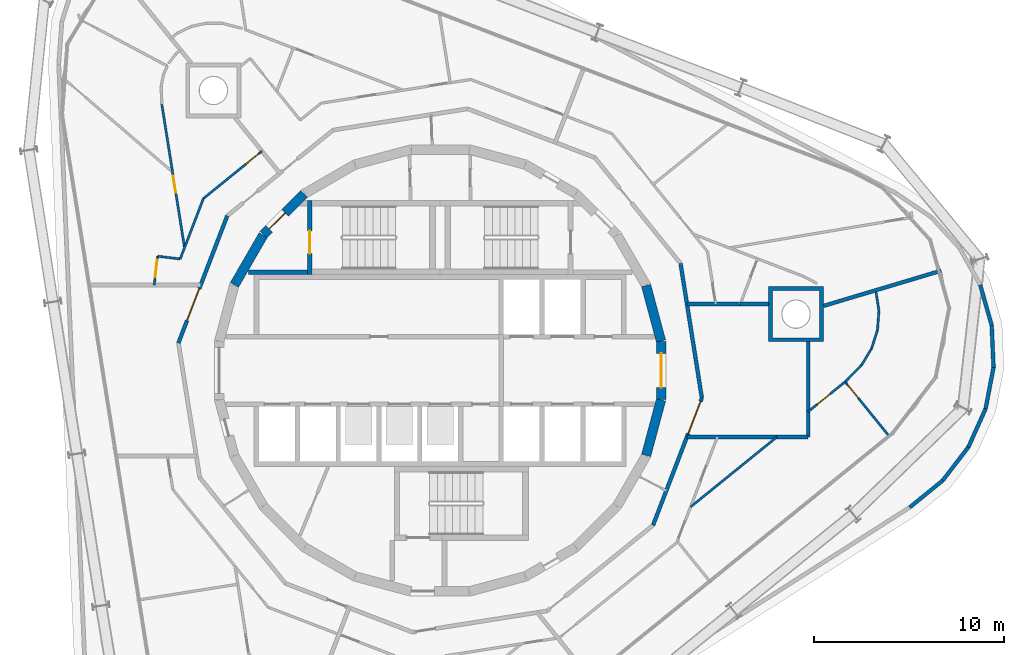
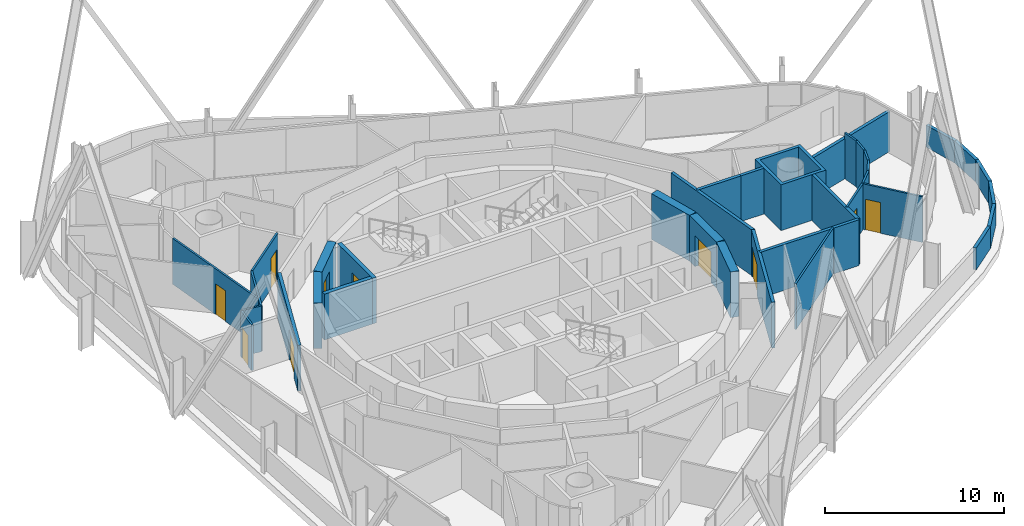
# One storey, part 14 of 19: 36 walls, 10 doors, 10 openings.
"""IFC4 building model written with IfcOpenShell, lengths in metres."""

from ifc_helpers import new_model, si_unit, direction, frame, frame_2d, origin, place, context, subcontext, project, spatial, polyline, rectangle, outline, extrude, material, layer, layer_set, type_object, element, fill, save


model = new_model("IFC4")

# Units and contexts
model_context = context("Model", 3, precision=1e-05, world=origin(), true_north=direction((0.0, 1.0)))
body_context = subcontext(model_context, "Body", "Model", "MODEL_VIEW")
ifc_project = project(units=[si_unit("LENGTHUNIT", "METRE"), si_unit("AREAUNIT", "SQUARE_METRE"), si_unit("VOLUMEUNIT", "CUBIC_METRE"), si_unit("PLANEANGLEUNIT", "RADIAN"), si_unit("MASSUNIT", "GRAM", prefix="KILO")], contexts=[model_context])

# Site, building, storey
site_placement = place(None, origin())
site = spatial("IfcSite", under=ifc_project, at=site_placement, CompositionType="ELEMENT")
building_placement = place(site_placement, origin())
building = spatial("IfcBuilding", under=site, at=building_placement, Name="Spindle Arch Residences", CompositionType="ELEMENT")
storey_placement = place(building_placement, frame((0.0, 0.0, 263.39990234375)))
storey = spatial("IfcBuildingStorey", under=building, at=storey_placement, Name="L67", CompositionType="ELEMENT", Elevation=263.39990234375)

# Wall
ifc_material_1 = material(Name="Concrete C50/60", Category="concrete")
ifc_layer_1 = layer(ifc_material_1, 0.5)
ifc_layer_set_1 = layer_set([ifc_layer_1], Name="Core outline wall 500")
wall_type_1 = type_object("IfcWallType", Name="Core outline wall 500", PredefinedType="SHEAR", material=ifc_layer_set_1)
wall_1_placement = place(storey_placement, frame((10.858154296875, -4.479248046875, 0.0), z_axis=(0.0, 0.0, 1.0), x_axis=(0.258734743916, 0.965948410781, 0.0)))
element("IfcWall", 1, at=wall_1_placement, inside=storey, type_object=wall_type_1, Name="Core outline wall 5", PredefinedType="SHEAR", context=body_context, shape_type="SweptSolid", body=[
    extrude(rectangle(XDim=3.03271484375, YDim=0.5, at=frame_2d((1.516357421875, 0.0))), origin(), (0.0, 0.0, 1.0), 3.1201171875),
])

# Wall, opening, door
wall_2_placement = place(storey_placement, frame((11.647216796875, -1.516357421875, 0.0), z_axis=(0.0, 0.0, 1.0), x_axis=(0.0, 1.0, 0.0)))
wall_2 = element("IfcWall", 2, at=wall_2_placement, inside=storey, type_object=wall_type_1, Name="Core outline wall 6", PredefinedType="SHEAR", context=body_context, shape_type="SweptSolid", body=[
    extrude(rectangle(XDim=3.03271484375, YDim=0.5, at=frame_2d((1.516357421875, 0.0))), origin(), (0.0, 0.0, 1.0), 3.1201171875),
])
opening_1_placement = place(wall_2_placement, frame((0.6162109375, 0.0, 0.0)))
opening_1 = element("IfcOpeningElement", 3, at=opening_1_placement, cuts=wall_2, Name="Opening R7A0-FE01", PredefinedType="OPENING", context=body_context, shape_type="SweptSolid", body=[
    extrude(rectangle(XDim=1.800048828125, YDim=2.10009765625, at=frame_2d((0.89990234375, 1.050048828125))), frame((0.0, 0.260009765625, 0.0), z_axis=(0.0, -1.0, 0.0), x_axis=(1.0, 0.0, 0.0)), (0.0, 0.0, 1.0), 0.52001953125),
])
ifc_material_2 = material(Name="Steel, fire-resisting door", Category="steel")
door_type_1 = type_object("IfcDoorType", Name="Fire-lift lobby door 1800x2100", OperationType="DOUBLE_DOOR_SINGLE_SWING", PredefinedType="DOOR", material=ifc_material_2)
door_1_placement = place(opening_1_placement, origin())
door_1 = element("IfcDoor", 4, at=door_1_placement, inside=storey, type_object=door_type_1, Name="Fire-lift lobby door R7A0-FE01", OperationType="DOUBLE_DOOR_SINGLE_SWING", OverallHeight=2.10009765625, OverallWidth=1.800048828125, PredefinedType="DOOR", context=body_context, shape_type="SweptSolid", body=[
    extrude(rectangle(XDim=1.800048828125, YDim=2.10009765625, at=frame_2d((0.89990234375, 1.050048828125))), frame((0.0, 0.02490234375, 0.0), z_axis=(0.0, -1.0, 0.0), x_axis=(1.0, 0.0, 0.0)), (0.0, 0.0, 1.0), 0.050048828125),
])
fill(opening_1, door_1)

# Wall
wall_3_placement = place(storey_placement, frame((11.642822265625, 1.5498046875, 0.0), z_axis=(0.0, 0.0, 1.0), x_axis=(-0.258734743916, 0.965948410781, 0.0)))
element("IfcWall", 5, at=wall_3_placement, inside=storey, type_object=wall_type_1, Name="Core outline wall 7", PredefinedType="SHEAR", context=body_context, shape_type="SweptSolid", body=[
    extrude(rectangle(XDim=3.03271484375, YDim=0.5, at=frame_2d((1.516357421875, 0.0))), origin(), (0.0, 0.0, 1.0), 3.1201171875),
])

# Wall, opening, door
wall_4_placement = place(storey_placement, frame((-7.163818359375, 9.30810546875, 0.0), z_axis=(0.0, 0.0, 1.0), x_axis=(-0.707106781187, -0.707106781187, 0.0)))
wall_4 = element("IfcWall", 6, at=wall_4_placement, inside=storey, type_object=wall_type_1, Name="Core outline wall 15", PredefinedType="SHEAR", context=body_context, shape_type="SweptSolid", body=[
    extrude(rectangle(XDim=3.032470703125, YDim=0.5, at=frame_2d((1.51611328125, 0.0))), origin(), (0.0, 0.0, 1.0), 3.1201171875),
])
opening_2_placement = place(wall_4_placement, frame((1.416259765625, 0.0, 0.0)))
opening_2 = element("IfcOpeningElement", 7, at=opening_2_placement, cuts=wall_4, Name="Opening R7A0-AD02", PredefinedType="OPENING", context=body_context, shape_type="SweptSolid", body=[
    extrude(rectangle(XDim=1.199951171875, YDim=2.10009765625, at=frame_2d((0.60009765625, 1.050048828125))), frame((0.0, 0.260009765625, 0.0), z_axis=(0.0, -1.0, 0.0), x_axis=(1.0, 0.0, 0.0)), (0.0, 0.0, 1.0), 0.52001953125),
])
ifc_material_3 = material(Name="Steel, fire-resisting door", Category="steel")
door_type_2 = type_object("IfcDoorType", Name="Stair airlock door 1200x2100", OperationType="SINGLE_SWING_LEFT", PredefinedType="DOOR", material=ifc_material_3)
door_2_placement = place(opening_2_placement, origin())
door_2 = element("IfcDoor", 8, at=door_2_placement, inside=storey, type_object=door_type_2, Name="Stair airlock door R7A0-AD02", OperationType="SINGLE_SWING_RIGHT", OverallHeight=2.10009765625, OverallWidth=1.199951171875, PredefinedType="DOOR", context=body_context, shape_type="SweptSolid", body=[
    extrude(rectangle(XDim=1.199951171875, YDim=2.10009765625, at=frame_2d((0.60009765625, 1.050048828125))), frame((0.0, 0.02490234375, 0.0), z_axis=(0.0, -1.0, 0.0), x_axis=(1.0, 0.0, 0.0)), (0.0, 0.0, 1.0), 0.050048828125),
])
fill(opening_2, door_2)

# Wall
wall_5_placement = place(storey_placement, frame((-9.32861328125, 7.13671875, 0.0), z_axis=(0.0, 0.0, 1.0), x_axis=(-0.500087131594, -0.865975092491, 0.0)))
element("IfcWall", 9, at=wall_5_placement, inside=storey, type_object=wall_type_1, Name="Core outline wall 16", PredefinedType="SHEAR", context=body_context, shape_type="SweptSolid", body=[
    extrude(rectangle(XDim=3.03271484375, YDim=0.5, at=frame_2d((1.516357421875, 0.0))), origin(), (0.0, 0.0, 1.0), 3.1201171875),
])

# Wall, opening, door
ifc_material_4 = material(Name="Calcium silicate block, plastered")
ifc_layer_2 = layer(ifc_material_4, 0.199951171875)
ifc_layer_set_2 = layer_set([ifc_layer_2], Name="Fire-lift lobby bay wall 200")
wall_type_2 = type_object("IfcWallType", Name="Fire-lift lobby bay wall 200", PredefinedType="STANDARD", material=ifc_layer_set_2)
wall_6_placement = place(storey_placement, frame((11.223388671875, -8.154296875, 0.0), z_axis=(0.0, 0.0, 1.0), x_axis=(0.358341090983, 0.93359073609, 0.0)))
wall_6 = element("IfcWall", 10, at=wall_6_placement, inside=storey, type_object=wall_type_2, Name="Fire-lift lobby bay wall R7A0-W004", PredefinedType="STANDARD", context=body_context, shape_type="SweptSolid", body=[
    extrude(rectangle(XDim=7.180908203125, YDim=0.199951171875, at=frame_2d((3.59033203125, 0.0))), origin(), (0.0, 0.0, 1.0), 3.1201171875),
])
opening_3_placement = place(wall_6_placement, frame((5.185302734375, 0.0, 0.0)))
opening_3 = element("IfcOpeningElement", 11, at=opening_3_placement, cuts=wall_6, Name="Opening R7A0-FB01", PredefinedType="OPENING", context=body_context, shape_type="SweptSolid", body=[
    extrude(rectangle(XDim=1.800048828125, YDim=2.10009765625, at=frame_2d((0.89990234375, 1.050048828125))), frame((0.0, 0.10986328125, 0.0), z_axis=(0.0, -1.0, 0.0), x_axis=(1.0, 0.0, 0.0)), (0.0, 0.0, 1.0), 0.219970703125),
])
ifc_material_5 = material(Name="Steel, fire-resisting door", Category="steel")
door_type_3 = type_object("IfcDoorType", Name="Fire-lift lobby bay door 1800x2100", OperationType="NOTDEFINED", PredefinedType="DOOR", material=ifc_material_5)
door_3_placement = place(opening_3_placement, origin())
door_3 = element("IfcDoor", 12, at=door_3_placement, inside=storey, type_object=door_type_3, Name="Fire-lift lobby bay door R7A0-FB01", OperationType="DOUBLE_DOOR_SINGLE_SWING", OverallHeight=2.10009765625, OverallWidth=1.800048828125, PredefinedType="DOOR", context=body_context, shape_type="SweptSolid", body=[
    extrude(rectangle(XDim=1.800048828125, YDim=2.10009765625, at=frame_2d((0.89990234375, 1.050048828125))), frame((0.0, 0.02490234375, 0.0), z_axis=(0.0, -1.0, 0.0), x_axis=(1.0, 0.0, 0.0)), (0.0, 0.0, 1.0), 0.050048828125),
])
fill(opening_3, door_3)

# Walls
wall_7_placement = place(storey_placement, frame((13.796630859375, -1.4501953125, 0.0), z_axis=(0.0, 0.0, 1.0), x_axis=(-0.156421704315, 0.987690361611, 0.0)))
element("IfcWall", 13, at=wall_7_placement, inside=storey, type_object=wall_type_2, Name="Fire-lift lobby bay wall R7A0-W005", PredefinedType="STANDARD", context=body_context, shape_type="SweptSolid", body=[
    extrude(rectangle(XDim=7.18115234375, YDim=0.199951171875, at=frame_2d((3.590576171875, 0.0))), origin(), (0.0, 0.0, 1.0), 3.1201171875),
])
wall_8_placement = place(storey_placement, frame((15.819091796875, 3.5, 0.0), z_axis=(0.0, 0.0, 1.0), x_axis=(-1.0, 0.0, 0.0)))
element("IfcWall", 14, at=wall_8_placement, inside=storey, type_object=wall_type_2, Name="Fire-lift lobby bay wall R7A0-W018", PredefinedType="STANDARD", context=body_context, shape_type="SweptSolid", body=[
    extrude(rectangle(XDim=2.806396484375, YDim=0.199951171875, at=frame_2d((1.4033203125, 0.0))), origin(), (0.0, 0.0, 1.0), 3.1201171875),
])
wall_9_placement = place(storey_placement, frame((17.309326171875, 3.5, 0.0), z_axis=(0.0, 0.0, 1.0), x_axis=(-1.0, 0.0, 0.0)))
element("IfcWall", 15, at=wall_9_placement, inside=storey, type_object=wall_type_2, Name="Fire-lift lobby bay wall R7A0-W019", PredefinedType="STANDARD", context=body_context, shape_type="SweptSolid", body=[
    extrude(rectangle(XDim=1.490234375, YDim=0.199951171875, at=frame_2d((0.7451171875, 0.0))), origin(), (0.0, 0.0, 1.0), 3.1201171875),
])
wall_10_placement = place(storey_placement, frame((13.009765625, -3.5, 0.0), z_axis=(0.0, 0.0, 1.0), x_axis=(1.0, 0.0, 0.0)))
element("IfcWall", 16, at=wall_10_placement, inside=storey, type_object=wall_type_2, Name="Fire-lift lobby bay wall R7A0-W020", PredefinedType="STANDARD", context=body_context, shape_type="SweptSolid", body=[
    extrude(rectangle(XDim=4.75, YDim=0.199951171875, at=frame_2d((2.375, 0.0))), origin(), (0.0, 0.0, 1.0), 3.1201171875),
])
wall_11_placement = place(storey_placement, frame((19.39990234375, -3.5, 0.0), z_axis=(0.0, 0.0, 1.0), x_axis=(0.0, 1.0, 0.0)))
element("IfcWall", 17, at=wall_11_placement, inside=storey, type_object=wall_type_2, Name="Fire-lift lobby bay wall R7A0-W021", PredefinedType="STANDARD", context=body_context, shape_type="SweptSolid", body=[
    extrude(rectangle(XDim=5.021240234375, YDim=0.199951171875, at=frame_2d((2.5107421875, 0.0))), origin(), (0.0, 0.0, 1.0), 3.1201171875),
])
wall_12_placement = place(storey_placement, frame((17.759765625, -3.5, 0.0), z_axis=(0.0, 0.0, 1.0), x_axis=(1.0, 0.0, 0.0)))
element("IfcWall", 18, at=wall_12_placement, inside=storey, type_object=wall_type_2, Name="Fire-lift lobby bay wall R7A0-W022", PredefinedType="STANDARD", context=body_context, shape_type="SweptSolid", body=[
    extrude(rectangle(XDim=1.64013671875, YDim=0.199951171875, at=frame_2d((0.820068359375, 0.0))), origin(), (0.0, 0.0, 1.0), 3.1201171875),
])

# Wall, opening, door
ifc_material_6 = material(Name="Plasterboard on steel studs", Category="steel")
ifc_layer_3 = layer(ifc_material_6, 0.1201171875)
ifc_layer_set_3 = layer_set([ifc_layer_3], Name="Flat partition 120")
wall_type_3 = type_object("IfcWallType", Name="Flat partition 120", PredefinedType="PARTITIONING", material=ifc_layer_set_3)
wall_13_placement = place(storey_placement, frame((-9.393310546875, 11.56640625, 0.0), z_axis=(0.0, 0.0, 1.0), x_axis=(-0.777100258587, -0.629376825205, 0.0)))
wall_13 = element("IfcWall", 19, at=wall_13_placement, inside=storey, type_object=wall_type_3, Name="Flat partition R7A0-W051", PredefinedType="PARTITIONING", context=body_context, shape_type="SweptSolid", body=[
    extrude(rectangle(XDim=3.971435546875, YDim=0.1201171875, at=frame_2d((1.98583984375, 0.0))), origin(), (0.0, 0.0, 1.0), 3.1201171875),
])
opening_4_placement = place(wall_13_placement, frame((0.199951171875, 0.0, 0.0)))
opening_4 = element("IfcOpeningElement", 20, at=opening_4_placement, cuts=wall_13, Name="Opening R7A0-ID10", PredefinedType="OPENING", context=body_context, shape_type="SweptSolid", body=[
    extrude(rectangle(XDim=0.89990234375, YDim=2.10009765625, at=frame_2d((0.449951171875, 1.050048828125))), frame((0.0, 0.070068359375, 0.0), z_axis=(0.0, -1.0, 0.0), x_axis=(1.0, 0.0, 0.0)), (0.0, 0.0, 1.0), 0.14013671875),
])
ifc_material_7 = material(Name="Timber door set", Category="wood")
door_type_4 = type_object("IfcDoorType", Name="Room door 900x2100", OperationType="NOTDEFINED", PredefinedType="DOOR", material=ifc_material_7)
door_4_placement = place(opening_4_placement, origin())
door_4 = element("IfcDoor", 21, at=door_4_placement, inside=storey, type_object=door_type_4, Name="Room door R7A0-ID10", OperationType="SINGLE_SWING_LEFT", OverallHeight=2.10009765625, OverallWidth=0.89990234375, PredefinedType="DOOR", context=body_context, shape_type="SweptSolid", body=[
    extrude(rectangle(XDim=0.89990234375, YDim=2.10009765625, at=frame_2d((0.449951171875, 1.050048828125))), frame((0.0, 0.02490234375, 0.0), z_axis=(0.0, -1.0, 0.0), x_axis=(1.0, 0.0, 0.0)), (0.0, 0.0, 1.0), 0.050048828125),
])
fill(opening_4, door_4)

# Walls
wall_14_placement = place(storey_placement, frame((-12.4794921875, 9.06689453125, 0.0), z_axis=(0.0, 0.0, 1.0), x_axis=(-0.358394302064, -0.933570310286, 0.0)))
element("IfcWall", 22, at=wall_14_placement, inside=storey, type_object=wall_type_3, Name="Flat partition R7A0-W052", PredefinedType="PARTITIONING", context=body_context, shape_type="SweptSolid", body=[
    extrude(rectangle(XDim=3.41357421875, YDim=0.1201171875, at=frame_2d((1.706787109375, 0.0))), origin(), (0.0, 0.0, 1.0), 3.1201171875),
])
wall_15_placement = place(storey_placement, frame((-13.702880859375, 5.880126953125, 0.0), z_axis=(0.0, 0.0, 1.0), x_axis=(-0.992763323859, 0.120087396509, 0.0)))
element("IfcWall", 23, at=wall_15_placement, inside=storey, type_object=wall_type_3, Name="Flat partition R7A0-W053", PredefinedType="PARTITIONING", context=body_context, shape_type="SweptSolid", body=[
    extrude(rectangle(XDim=1.1953125, YDim=0.1201171875, at=frame_2d((0.59765625, 0.0))), origin(), (0.0, 0.0, 1.0), 3.1201171875),
])

# Wall, opening, door
wall_16_placement = place(storey_placement, frame((-14.8896484375, 6.023681640625, 0.0), z_axis=(0.0, 0.0, 1.0), x_axis=(-0.120255360044, -0.992742992109, 0.0)))
wall_16 = element("IfcWall", 24, at=wall_16_placement, inside=storey, type_object=wall_type_3, Name="Flat partition R7A0-W054", PredefinedType="PARTITIONING", context=body_context, shape_type="SweptSolid", body=[
    extrude(rectangle(XDim=1.534912109375, YDim=0.1201171875, at=frame_2d((0.767578125, 0.0))), origin(), (0.0, 0.0, 1.0), 3.1201171875),
])
opening_5_placement = place(wall_16_placement, frame((0.199951171875, 0.0, 0.0)))
opening_5 = element("IfcOpeningElement", 25, at=opening_5_placement, cuts=wall_16, Name="Opening R7A0-ID11", PredefinedType="OPENING", context=body_context, shape_type="SweptSolid", body=[
    extrude(rectangle(XDim=0.89990234375, YDim=2.10009765625, at=frame_2d((0.449951171875, 1.050048828125))), frame((0.0, 0.070068359375, 0.0), z_axis=(0.0, -1.0, 0.0), x_axis=(1.0, 0.0, 0.0)), (0.0, 0.0, 1.0), 0.14013671875),
])
door_5_placement = place(opening_5_placement, origin())
door_5 = element("IfcDoor", 26, at=door_5_placement, inside=storey, type_object=door_type_4, Name="Room door R7A0-ID11", OperationType="SINGLE_SWING_LEFT", OverallHeight=2.10009765625, OverallWidth=0.89990234375, PredefinedType="DOOR", context=body_context, shape_type="SweptSolid", body=[
    extrude(rectangle(XDim=0.89990234375, YDim=2.10009765625, at=frame_2d((0.449951171875, 1.050048828125))), frame((0.0, 0.02490234375, 0.0), z_axis=(0.0, -1.0, 0.0), x_axis=(1.0, 0.0, 0.0)), (0.0, 0.0, 1.0), 0.050048828125),
])
fill(opening_5, door_5)

wall_17_placement = place(storey_placement, frame((-14.6708984375, 14.023193359375, 0.0), z_axis=(0.0, 0.0, 1.0), x_axis=(0.156438190471, -0.987687750538, 0.0)))
wall_17 = element("IfcWall", 27, at=wall_17_placement, inside=storey, type_object=wall_type_3, Name="Flat partition R7A0-W061", PredefinedType="PARTITIONING", context=body_context, shape_type="SweptSolid", body=[
    extrude(rectangle(XDim=7.643798828125, YDim=0.1201171875, at=frame_2d((3.82177734375, 0.0))), origin(), (0.0, 0.0, 1.0), 3.1201171875),
])
opening_6_placement = place(wall_17_placement, frame((3.802734375, 0.0, 0.0)))
opening_6 = element("IfcOpeningElement", 28, at=opening_6_placement, cuts=wall_17, Name="Opening R7A0-ID13", PredefinedType="OPENING", context=body_context, shape_type="SweptSolid", body=[
    extrude(rectangle(XDim=0.89990234375, YDim=2.10009765625, at=frame_2d((0.449951171875, 1.050048828125))), frame((0.0, 0.070068359375, 0.0), z_axis=(0.0, -1.0, 0.0), x_axis=(1.0, 0.0, 0.0)), (0.0, 0.0, 1.0), 0.14013671875),
])
door_6_placement = place(opening_6_placement, origin())
door_6 = element("IfcDoor", 29, at=door_6_placement, inside=storey, type_object=door_type_4, Name="Room door R7A0-ID13", OperationType="SINGLE_SWING_RIGHT", OverallHeight=2.10009765625, OverallWidth=0.89990234375, PredefinedType="DOOR", context=body_context, shape_type="SweptSolid", body=[
    extrude(rectangle(XDim=0.89990234375, YDim=2.10009765625, at=frame_2d((0.449951171875, 1.050048828125))), frame((0.0, 0.02490234375, 0.0), z_axis=(0.0, -1.0, 0.0), x_axis=(1.0, 0.0, 0.0)), (0.0, 0.0, 1.0), 0.050048828125),
])
fill(opening_6, door_6)

# Walls
wall_18_placement = place(storey_placement, frame((22.972412109375, 4.15283203125, 0.0), z_axis=(0.0, 0.0, 1.0), x_axis=(0.156209385929, -0.987723963336, 0.0)))
element("IfcWall", 30, at=wall_18_placement, inside=storey, type_object=wall_type_3, Name="Flat partition R7A0-W087", PredefinedType="PARTITIONING", context=body_context, shape_type="SweptSolid", body=[
    extrude(rectangle(XDim=1.015869140625, YDim=0.1201171875, at=frame_2d((0.5078125, 0.0))), origin(), (0.0, 0.0, 1.0), 3.1201171875),
])
wall_19_placement = place(storey_placement, frame((23.131103515625, 3.1494140625, 0.0), z_axis=(0.0, 0.0, 1.0), x_axis=(-0.075446997935, -0.99714981347, 0.0)))
element("IfcWall", 31, at=wall_19_placement, inside=storey, type_object=wall_type_3, Name="Flat partition R7A0-W088", PredefinedType="PARTITIONING", context=body_context, shape_type="SweptSolid", body=[
    extrude(rectangle(XDim=1.01611328125, YDim=0.1201171875, at=frame_2d((0.508056640625, 0.0))), origin(), (0.0, 0.0, 1.0), 3.1201171875),
])
wall_20_placement = place(storey_placement, frame((23.054443359375, 2.13623046875, 0.0), z_axis=(0.0, 0.0, 1.0), x_axis=(-0.303511129679, -0.952827893253, 0.0)))
element("IfcWall", 32, at=wall_20_placement, inside=storey, type_object=wall_type_3, Name="Flat partition R7A0-W089", PredefinedType="PARTITIONING", context=body_context, shape_type="SweptSolid", body=[
    extrude(rectangle(XDim=1.015869140625, YDim=0.1201171875, at=frame_2d((0.5078125, 0.0))), origin(), (0.0, 0.0, 1.0), 3.1201171875),
])
wall_21_placement = place(storey_placement, frame((22.74609375, 1.168212890625, 0.0), z_axis=(0.0, 0.0, 1.0), x_axis=(-0.515096534995, -0.857132171626, 0.0)))
element("IfcWall", 33, at=wall_21_placement, inside=storey, type_object=wall_type_3, Name="Flat partition R7A0-W090", PredefinedType="PARTITIONING", context=body_context, shape_type="SweptSolid", body=[
    extrude(rectangle(XDim=1.015625, YDim=0.1201171875, at=frame_2d((0.5078125, 0.0))), origin(), (0.0, 0.0, 1.0), 3.1201171875),
])
wall_22_placement = place(storey_placement, frame((22.222900390625, 0.297607421875, 0.0), z_axis=(0.0, 0.0, 1.0), x_axis=(-0.69880109182, -0.715316037896, 0.0)))
element("IfcWall", 34, at=wall_22_placement, inside=storey, type_object=wall_type_3, Name="Flat partition R7A0-W091", PredefinedType="PARTITIONING", context=body_context, shape_type="SweptSolid", body=[
    extrude(rectangle(XDim=1.22705078125, YDim=0.1201171875, at=frame_2d((0.613525390625, 0.0))), origin(), (0.0, 0.0, 1.0), 3.1201171875),
])

# Wall, opening, door
wall_23_placement = place(storey_placement, frame((21.346923828125, -0.59521484375, 0.0), z_axis=(0.0, 0.0, 1.0), x_axis=(0.62934843781, -0.7771232488, 0.0)))
wall_23 = element("IfcWall", 35, at=wall_23_placement, inside=storey, type_object=wall_type_3, Name="Flat partition R7A0-W092", PredefinedType="PARTITIONING", context=body_context, shape_type="SweptSolid", body=[
    extrude(rectangle(XDim=3.599853515625, YDim=0.1201171875, at=frame_2d((1.7998046875, 0.0))), origin(), (0.0, 0.0, 1.0), 3.1201171875),
])
opening_7_placement = place(wall_23_placement, frame((0.199951171875, 0.0, 0.0)))
opening_7 = element("IfcOpeningElement", 36, at=opening_7_placement, cuts=wall_23, Name="Opening R7A0-ID25", PredefinedType="OPENING", context=body_context, shape_type="SweptSolid", body=[
    extrude(rectangle(XDim=0.89990234375, YDim=2.10009765625, at=frame_2d((0.449951171875, 1.050048828125))), frame((0.0, 0.070068359375, 0.0), z_axis=(0.0, -1.0, 0.0), x_axis=(1.0, 0.0, 0.0)), (0.0, 0.0, 1.0), 0.14013671875),
])
door_7_placement = place(opening_7_placement, origin())
door_7 = element("IfcDoor", 37, at=door_7_placement, inside=storey, type_object=door_type_4, Name="Room door R7A0-ID25", OperationType="SINGLE_SWING_RIGHT", OverallHeight=2.10009765625, OverallWidth=0.89990234375, PredefinedType="DOOR", context=body_context, shape_type="SweptSolid", body=[
    extrude(rectangle(XDim=0.89990234375, YDim=2.10009765625, at=frame_2d((0.449951171875, 1.050048828125))), frame((0.0, 0.02490234375, 0.0), z_axis=(0.0, -1.0, 0.0), x_axis=(1.0, 0.0, 0.0)), (0.0, 0.0, 1.0), 0.050048828125),
])
fill(opening_7, door_7)

wall_24_placement = place(storey_placement, frame((19.39990234375, -2.171875, 0.0), z_axis=(0.0, 0.0, 1.0), x_axis=(0.777147279935, 0.629318762862, 0.0)))
wall_24 = element("IfcWall", 38, at=wall_24_placement, inside=storey, type_object=wall_type_3, Name="Flat partition R7A0-W093", PredefinedType="PARTITIONING", context=body_context, shape_type="SweptSolid", body=[
    extrude(rectangle(XDim=2.50537109375, YDim=0.1201171875, at=frame_2d((1.252685546875, 0.0))), origin(), (0.0, 0.0, 1.0), 3.1201171875),
])
opening_8_placement = place(wall_24_placement, frame((0.60009765625, 0.0, 0.0)))
opening_8 = element("IfcOpeningElement", 39, at=opening_8_placement, cuts=wall_24, Name="Opening R7A0-ID26", PredefinedType="OPENING", context=body_context, shape_type="SweptSolid", body=[
    extrude(rectangle(XDim=0.89990234375, YDim=2.10009765625, at=frame_2d((0.449951171875, 1.050048828125))), frame((0.0, 0.070068359375, 0.0), z_axis=(0.0, -1.0, 0.0), x_axis=(1.0, 0.0, 0.0)), (0.0, 0.0, 1.0), 0.14013671875),
])
door_8_placement = place(opening_8_placement, origin())
door_8 = element("IfcDoor", 40, at=door_8_placement, inside=storey, type_object=door_type_4, Name="Room door R7A0-ID26", OperationType="SINGLE_SWING_LEFT", OverallHeight=2.10009765625, OverallWidth=0.89990234375, PredefinedType="DOOR", context=body_context, shape_type="SweptSolid", body=[
    extrude(rectangle(XDim=0.89990234375, YDim=2.10009765625, at=frame_2d((0.449951171875, 1.050048828125))), frame((0.0, 0.02490234375, 0.0), z_axis=(0.0, -1.0, 0.0), x_axis=(1.0, 0.0, 0.0)), (0.0, 0.0, 1.0), 0.050048828125),
])
fill(opening_8, door_8)

# Walls
wall_25_placement = place(storey_placement, frame((17.759765625, -3.5, 0.0), z_axis=(0.0, 0.0, 1.0), x_axis=(-0.777133455716, -0.62933583404, 0.0)))
element("IfcWall", 41, at=wall_25_placement, inside=storey, type_object=wall_type_3, Name="Flat partition R7A0-W095", PredefinedType="PARTITIONING", context=body_context, shape_type="SweptSolid", body=[
    extrude(rectangle(XDim=5.869140625, YDim=0.1201171875, at=frame_2d((2.9345703125, 0.0))), origin(), (0.0, 0.0, 1.0), 3.1201171875),
])
ifc_material_8 = material(Name="Calcium silicate block, plastered")
ifc_layer_4 = layer(ifc_material_8, 0.199951171875)
ifc_layer_set_4 = layer_set([ifc_layer_4], Name="Flat party wall 200 under beam 2730")
wall_type_4 = type_object("IfcWallType", Name="Flat party wall 200 under beam 2730", PredefinedType="STANDARD", material=ifc_layer_set_4)
wall_26_placement = place(storey_placement, frame((20.20947265625, 3.4052734375, 0.0), z_axis=(0.0, 0.0, 1.0), x_axis=(0.957991224208, 0.286797514529, 0.0)))
element("IfcWall", 42, at=wall_26_placement, inside=storey, type_object=wall_type_4, Name="Flat party wall R7A0-W024", PredefinedType="STANDARD", context=body_context, shape_type="SweptSolid", body=[
    extrude(rectangle(XDim=6.471435546875, YDim=0.199951171875, at=frame_2d((3.23583984375, 0.0))), origin(), (0.0, 0.0, 1.0), 2.72998046875),
])

# Wall, opening, door
ifc_material_9 = material(Name="Calcium silicate block, plastered")
ifc_layer_5 = layer(ifc_material_9, 0.199951171875)
ifc_layer_set_5 = layer_set([ifc_layer_5], Name="Lift lobby bay wall 200")
wall_type_5 = type_object("IfcWallType", Name="Lift lobby bay wall 200", PredefinedType="STANDARD", material=ifc_layer_set_5)
wall_27_placement = place(storey_placement, frame((-11.223388671875, 8.154296875, 0.0), z_axis=(0.0, 0.0, 1.0), x_axis=(-0.358341090983, -0.93359073609, 0.0)))
wall_27 = element("IfcWall", 43, at=wall_27_placement, inside=storey, type_object=wall_type_5, Name="Lift lobby bay wall R7A0-W009", PredefinedType="STANDARD", context=body_context, shape_type="SweptSolid", body=[
    extrude(rectangle(XDim=7.180908203125, YDim=0.199951171875, at=frame_2d((3.59033203125, 0.0))), origin(), (0.0, 0.0, 1.0), 3.1201171875),
])
opening_9_placement = place(wall_27_placement, frame((4.1142578125, 0.0, 0.0)))
opening_9 = element("IfcOpeningElement", 44, at=opening_9_placement, cuts=wall_27, Name="Opening R7A0-LB01", PredefinedType="OPENING", context=body_context, shape_type="SweptSolid", body=[
    extrude(rectangle(XDim=1.800048828125, YDim=2.10009765625, at=frame_2d((0.89990234375, 1.050048828125))), frame((0.0, 0.10986328125, 0.0), z_axis=(0.0, -1.0, 0.0), x_axis=(1.0, 0.0, 0.0)), (0.0, 0.0, 1.0), 0.219970703125),
])
ifc_material_10 = material(Name="Steel, fire-resisting door", Category="steel")
door_type_5 = type_object("IfcDoorType", Name="Lift lobby bay door 1800x2100", OperationType="NOTDEFINED", PredefinedType="DOOR", material=ifc_material_10)
door_9_placement = place(opening_9_placement, origin())
door_9 = element("IfcDoor", 45, at=door_9_placement, inside=storey, type_object=door_type_5, Name="Lift lobby bay door R7A0-LB01", OperationType="DOUBLE_DOOR_SINGLE_SWING", OverallHeight=2.10009765625, OverallWidth=1.800048828125, PredefinedType="DOOR", context=body_context, shape_type="SweptSolid", body=[
    extrude(rectangle(XDim=1.800048828125, YDim=2.10009765625, at=frame_2d((0.89990234375, 1.050048828125))), frame((0.0, 0.02490234375, 0.0), z_axis=(0.0, -1.0, 0.0), x_axis=(1.0, 0.0, 0.0)), (0.0, 0.0, 1.0), 0.050048828125),
])
fill(opening_9, door_9)

# Walls
ifc_material_11 = material(Name="Calcium silicate block, plastered")
ifc_layer_6 = layer(ifc_material_11, 0.199951171875)
ifc_layer_set_6 = layer_set([ifc_layer_6], Name="Mega-column casing wall 200")
wall_type_6 = type_object("IfcWallType", Name="Mega-column casing wall 200", PredefinedType="STANDARD", material=ifc_layer_set_6)
wall_28_placement = place(storey_placement, origin())
element("IfcWall", 46, at=wall_28_placement, inside=storey, type_object=wall_type_6, Name="Mega-column casing wall R7A0-WC01", PredefinedType="STANDARD", context=body_context, shape_type="SweptSolid", body=[
    extrude(outline(polyline([(20.20947265625, 4.421142578125), (20.20947265625, 1.521240234375), (17.309326171875, 1.521240234375), (17.309326171875, 4.421142578125), (20.20947265625, 4.421142578125)]), holes=[polyline([(17.509521484375, 1.72119140625), (20.009521484375, 1.72119140625), (20.009521484375, 4.22119140625), (17.509521484375, 4.22119140625), (17.509521484375, 1.72119140625)])]), origin(), (0.0, 0.0, 1.0), 3.1201171875),
])
ifc_material_12 = material(Name="Concrete C40/50", Category="concrete")
ifc_layer_7 = layer(ifc_material_12, 0.199951171875)
ifc_layer_set_7 = layer_set([ifc_layer_7], Name="Roof parapet 1500")
wall_type_7 = type_object("IfcWallType", Name="Roof parapet 1500", PredefinedType="PARAPET", material=ifc_layer_set_7)
for number, where, z_axis, x_axis, name in (
    (47, (28.468017578125, 4.516845703125, 0.030029296875), (0.0, 0.0, 1.0), (0.27281047836, -0.962067795375, 0.0), "Roof parapet L66 1.25"),
    (48, (29.07421875, 2.384521484375, 0.030029296875), (0.0, 0.0, 1.0), (0.043608399113, -0.999048701279, 0.0), "Roof parapet L66 1.26"),
    (49, (29.172119140625, 0.170166015625, 0.030029296875), (0.0, 0.0, 1.0), (-0.18791260228, -0.982185753259, 0.0), "Roof parapet L66 1.27"),
    (50, (28.7568359375, -2.00732421875, 0.030029296875), (0.0, 0.0, 1.0), (-0.40943966641, -0.9123371962, 0.0), "Roof parapet L66 1.28"),
    (51, (27.8505859375, -4.0302734375, 0.030029296875), (0.0, 0.0, 1.0), (-0.608746621461, -0.793364702303, 0.0), "Roof parapet L66 1.29"),
):
    element("IfcWall", number, at=place(storey_placement, frame(where, z_axis=z_axis, x_axis=x_axis)), inside=storey, type_object=wall_type_7, Name=name, PredefinedType="PARAPET", context=body_context, shape_type="SweptSolid", body=[
        extrude(rectangle(XDim=2.228271484375, YDim=0.199951171875, at=frame_2d((1.1142578125, 0.0))), origin(), (0.0, 0.0, 1.0), 1.5),
    ])
wall_29_placement = place(storey_placement, frame((26.502197265625, -5.789794921875, 0.030029296875), z_axis=(0.0, 0.0, 1.0), x_axis=(-0.775309515422, -0.631581471622, 0.0)))
element("IfcWall", 52, at=wall_29_placement, inside=storey, type_object=wall_type_7, Name="Roof parapet L66 1.30", PredefinedType="PARAPET", context=body_context, shape_type="SweptSolid", body=[
    extrude(rectangle(XDim=2.257568359375, YDim=0.199951171875, at=frame_2d((1.12890625, 0.0))), origin(), (0.0, 0.0, 1.0), 1.5),
])
ifc_material_13 = material(Name="Concrete C40/50", Category="concrete")
ifc_layer_8 = layer(ifc_material_13, 0.25)
ifc_layer_set_8 = layer_set([ifc_layer_8], Name="Stair airlock wall 250")
wall_type_8 = type_object("IfcWallType", Name="Stair airlock wall 250", PredefinedType="SHEAR", material=ifc_layer_set_8)
wall_30_placement = place(storey_placement, frame((-7.0, 5.175048828125, 0.0), z_axis=(0.0, 0.0, 1.0), x_axis=(-1.0, 0.0, 0.0)))
element("IfcWall", 53, at=wall_30_placement, inside=storey, type_object=wall_type_8, Name="Stair ST-2 airlock wall S", PredefinedType="SHEAR", context=body_context, shape_type="SweptSolid", body=[
    extrude(rectangle(XDim=3.10009765625, YDim=0.25, at=frame_2d((1.550048828125, 0.0))), origin(), (0.0, 0.0, 1.0), 3.1201171875),
])

# Wall, opening, door
ifc_material_14 = material(Name="Concrete C50/60", Category="concrete")
ifc_layer_9 = layer(ifc_material_14, 0.25)
ifc_layer_set_9 = layer_set([ifc_layer_9], Name="Stair enclosure wall 250")
wall_type_9 = type_object("IfcWallType", Name="Stair enclosure wall 250", PredefinedType="SHEAR", material=ifc_layer_set_9)
wall_31_placement = place(storey_placement, frame((-6.875, 8.969970703125, 0.0), z_axis=(0.0, 0.0, 1.0), x_axis=(0.0, -1.0, 0.0)))
wall_31 = element("IfcWall", 54, at=wall_31_placement, inside=storey, type_object=wall_type_9, Name="Stair ST-2 door wall", PredefinedType="SHEAR", context=body_context, shape_type="SweptSolid", body=[
    extrude(rectangle(XDim=3.919921875, YDim=0.25, at=frame_2d((1.9599609375, 0.0))), origin(), (0.0, 0.0, 1.0), 3.1201171875),
])
opening_10_placement = place(wall_31_placement, frame((1.610107421875, 0.0, 0.0)))
opening_10 = element("IfcOpeningElement", 55, at=opening_10_placement, cuts=wall_31, Name="Opening R7A0-SD02", PredefinedType="OPENING", context=body_context, shape_type="SweptSolid", body=[
    extrude(rectangle(XDim=1.199951171875, YDim=2.10009765625, at=frame_2d((0.60009765625, 1.050048828125))), frame((0.0, 0.135009765625, 0.0), z_axis=(0.0, -1.0, 0.0), x_axis=(1.0, 0.0, 0.0)), (0.0, 0.0, 1.0), 0.27001953125),
])
ifc_material_15 = material(Name="Steel, fire-resisting door", Category="steel")
door_type_6 = type_object("IfcDoorType", Name="Stair door 1200x2100", OperationType="SINGLE_SWING_RIGHT", PredefinedType="DOOR", material=ifc_material_15)
door_10_placement = place(opening_10_placement, origin())
door_10 = element("IfcDoor", 56, at=door_10_placement, inside=storey, type_object=door_type_6, Name="Stair door R7A0-SD02", OperationType="SINGLE_SWING_LEFT", OverallHeight=2.10009765625, OverallWidth=1.199951171875, PredefinedType="DOOR", context=body_context, shape_type="SweptSolid", body=[
    extrude(rectangle(XDim=1.199951171875, YDim=2.10009765625, at=frame_2d((0.60009765625, 1.050048828125))), frame((0.0, 0.02490234375, 0.0), z_axis=(0.0, -1.0, 0.0), x_axis=(1.0, 0.0, 0.0)), (0.0, 0.0, 1.0), 0.050048828125),
])
fill(opening_10, door_10)

save(model, "model.ifc")
